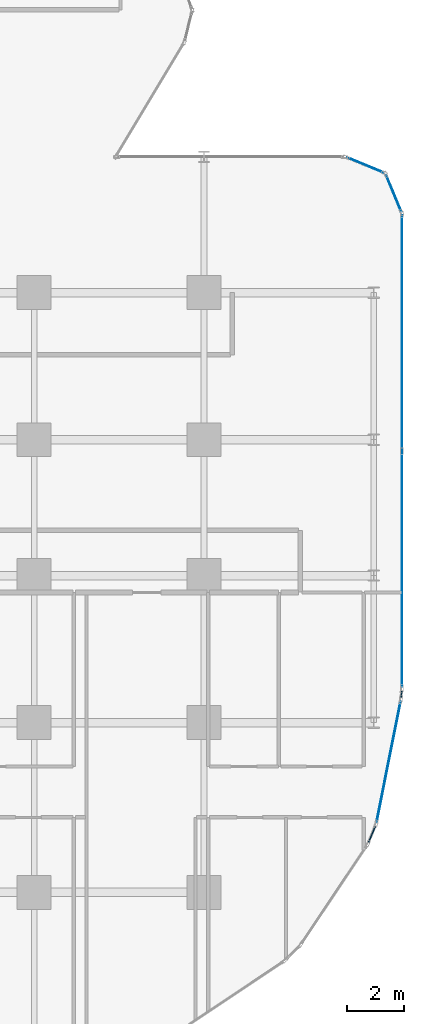
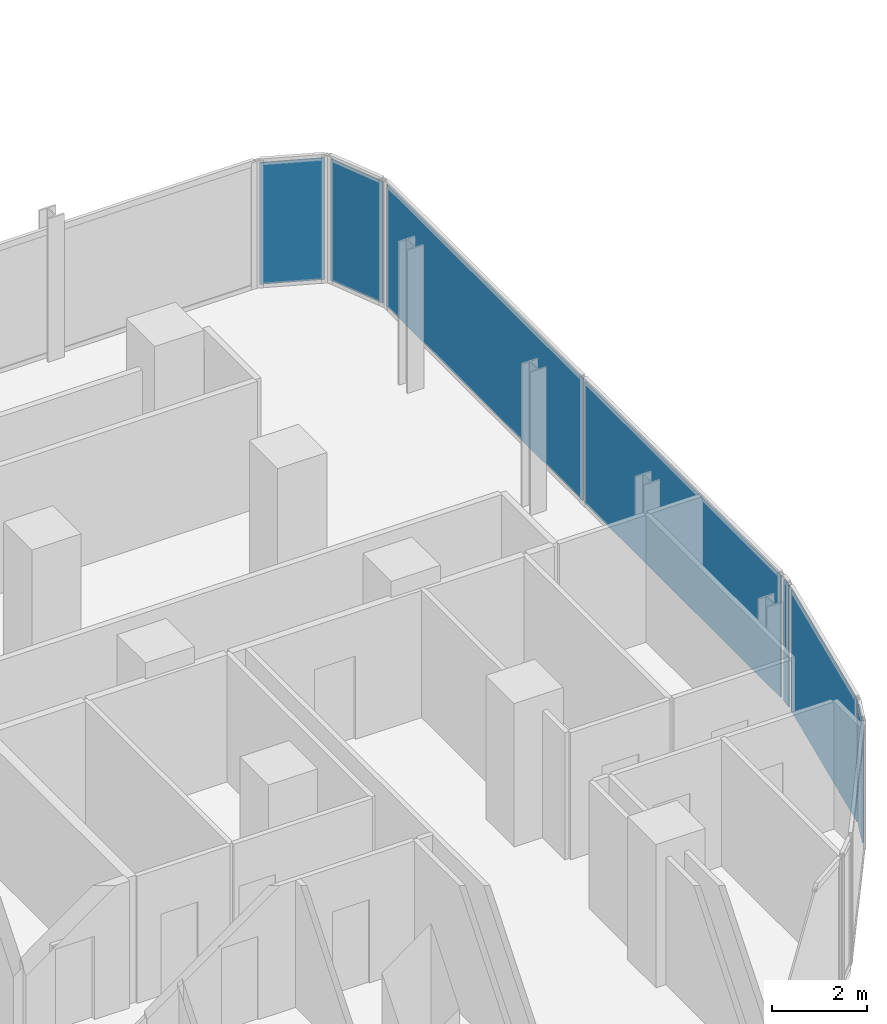
# One storey, part 25 of 33: 7 plates, 6 elements without a shape of their own.
"""IFC4 building model written with IfcOpenShell, lengths in metres."""

from ifc_helpers import new_model, si_unit, direction, frame, origin, origin_2d, place, context, subcontext, project, spatial, rectangle, extrude, material, layer, layer_set, type_object, element, aggregate, save


model = new_model("IFC4")

# Units and contexts
model_context = context("Model", 3, precision=1e-05, world=origin(), true_north=direction((0.0, 1.0)))
body_context = subcontext(model_context, "Body", "Model", "MODEL_VIEW")
ifc_project = project(units=[si_unit("LENGTHUNIT", "METRE"), si_unit("AREAUNIT", "SQUARE_METRE"), si_unit("VOLUMEUNIT", "CUBIC_METRE"), si_unit("PLANEANGLEUNIT", "RADIAN"), si_unit("MASSUNIT", "GRAM", prefix="KILO")], contexts=[model_context])

# Site, building, storey
site_placement = place(None, origin())
site = spatial("IfcSite", under=ifc_project, at=site_placement, CompositionType="ELEMENT")
building_placement = place(site_placement, origin())
building = spatial("IfcBuilding", under=site, at=building_placement, Name="Keshet Zoharim Tower", CompositionType="ELEMENT")
storey_placement = place(building_placement, frame((0.0, 0.0, 57.300048828125)))
storey = spatial("IfcBuildingStorey", under=building, at=storey_placement, Name="L13", CompositionType="ELEMENT", Elevation=57.300048828125)

# Curtain wall, plate
ifc_material_1 = material(Name="Aluminium 6063-T6", Category="aluminium")
ifc_layer_1 = layer(ifc_material_1, 0.179931640625)
ifc_layer_set_1 = layer_set([ifc_layer_1], Name="Aluminium 6063-T6")
curtain_wall_type_1 = type_object("IfcCurtainWallType", Name="CW-SYS-01", PredefinedType="NOTDEFINED", material=ifc_layer_set_1)
curtain_wall_1_placement = place(storey_placement, origin())
curtain_wall_1 = element("IfcCurtainWall", 1, at=curtain_wall_1_placement, inside=storey, type_object=curtain_wall_type_1, Name="L13 Unitised Curtain Wall 19", PredefinedType="NOTDEFINED")
ifc_material_2 = material(Name="Insulated Low-E Clear Glass", Category="glass")
ifc_layer_2 = layer(ifc_material_2, 0.035888671875)
ifc_layer_set_2 = layer_set([ifc_layer_2], Name="Insulated Low-E Clear Glass")
plate_type_1 = type_object("IfcPlateType", Name="CWP-01", PredefinedType="CURTAIN_PANEL", material=ifc_layer_set_2)
plate_1_placement = place(storey_placement, frame((68.9384765625, 8.75439453125, 0.06982421875), z_axis=(0.0, 0.0, 1.0), x_axis=(-0.383068349739, -0.923720000557, 0.0)))
plate_1 = element("IfcPlate", 2, at=plate_1_placement, type_object=plate_type_1, Name="CW-01 panel 1.1", PredefinedType="CURTAIN_PANEL", context=body_context, shape_type="SweptSolid", body=[
    extrude(rectangle(XDim=0.640625, YDim=0.035888671875, at=origin_2d()), origin(), (0.0, 0.0, 1.0), 3.139892578125),
])
aggregate(curtain_wall_1, [plate_1])

ifc_layer_3 = layer(ifc_material_1, 0.169921875)
ifc_layer_set_3 = layer_set([ifc_layer_3], Name="Aluminium 6063-T6")
curtain_wall_type_2 = type_object("IfcCurtainWallType", Name="CW-SYS-02", PredefinedType="NOTDEFINED", material=ifc_layer_set_3)
curtain_wall_2_placement = place(storey_placement, origin())
curtain_wall_2 = element("IfcCurtainWall", 3, at=curtain_wall_2_placement, inside=storey, type_object=curtain_wall_type_2, Name="L13 Unitised Curtain Wall 14", PredefinedType="NOTDEFINED")
ifc_layer_4 = layer(ifc_material_2, 0.031982421875)
ifc_layer_set_4 = layer_set([ifc_layer_4], Name="Insulated Low-E Clear Glass")
plate_type_2 = type_object("IfcPlateType", Name="CWP-02", PredefinedType="CURTAIN_PANEL", material=ifc_layer_set_4)
plate_2_placement = place(storey_placement, frame((68.70703125, 32.406982421875, 0.06982421875), z_axis=(0.0, 0.0, 1.0), x_axis=(0.92380975372, -0.382851849847, 0.0)))
plate_2 = element("IfcPlate", 4, at=plate_2_placement, type_object=plate_type_2, Name="CW-02 panel 1.1", PredefinedType="CURTAIN_PANEL", context=body_context, shape_type="SweptSolid", body=[
    extrude(rectangle(XDim=1.390625, YDim=0.031982421875, at=origin_2d()), origin(), (0.0, 0.0, 1.0), 3.139892578125),
])
aggregate(curtain_wall_2, [plate_2])

curtain_wall_3_placement = place(storey_placement, origin())
curtain_wall_3 = element("IfcCurtainWall", 5, at=curtain_wall_3_placement, inside=storey, type_object=curtain_wall_type_2, Name="L13 Unitised Curtain Wall 15", PredefinedType="NOTDEFINED")
plate_3_placement = place(storey_placement, frame((69.70703125, 31.406982421875, 0.06982421875), z_axis=(0.0, 0.0, 1.0), x_axis=(0.382851849847, -0.92380975372, 0.0)))
plate_3 = element("IfcPlate", 6, at=plate_3_placement, type_object=plate_type_2, Name="CW-02 panel 1.1", PredefinedType="CURTAIN_PANEL", context=body_context, shape_type="SweptSolid", body=[
    extrude(rectangle(XDim=1.390625, YDim=0.031982421875, at=origin_2d()), origin(), (0.0, 0.0, 1.0), 3.139892578125),
])
aggregate(curtain_wall_3, [plate_3])

# Curtain wall, plates
curtain_wall_4_placement = place(storey_placement, origin())
curtain_wall_4 = element("IfcCurtainWall", 7, at=curtain_wall_4_placement, inside=storey, type_object=curtain_wall_type_2, Name="L13 Unitised Curtain Wall 16", PredefinedType="NOTDEFINED")
plate_4_placement = place(storey_placement, frame((70.0, 26.481689453125, 0.06982421875), z_axis=(0.0, 0.0, 1.0), x_axis=(0.0, -1.0, 0.0)))
plate_4 = element("IfcPlate", 8, at=plate_4_placement, type_object=plate_type_2, Name="CW-02 panel 1.1", PredefinedType="CURTAIN_PANEL", context=body_context, shape_type="SweptSolid", body=[
    extrude(rectangle(XDim=8.29638671875, YDim=0.031982421875, at=origin_2d()), origin(), (0.0, 0.0, 1.0), 3.139892578125),
])
plate_5_placement = place(storey_placement, frame((70.0, 18.115234375, 0.06982421875), z_axis=(0.0, 0.0, 1.0), x_axis=(0.0, -1.0, 0.0)))
plate_5 = element("IfcPlate", 9, at=plate_5_placement, type_object=plate_type_2, Name="CW-02 panel 2.1", PredefinedType="CURTAIN_PANEL", context=body_context, shape_type="SweptSolid", body=[
    extrude(rectangle(XDim=8.29638671875, YDim=0.031982421875, at=origin_2d()), origin(), (0.0, 0.0, 1.0), 3.139892578125),
])
aggregate(curtain_wall_4, [plate_4, plate_5])

# Curtain wall, plate
curtain_wall_5_placement = place(storey_placement, origin())
curtain_wall_5 = element("IfcCurtainWall", 10, at=curtain_wall_5_placement, inside=storey, type_object=curtain_wall_type_2, Name="L13 Unitised Curtain Wall 17", PredefinedType="NOTDEFINED")
plate_6_placement = place(storey_placement, frame((69.98095703125, 13.701904296875, 0.06982421875), z_axis=(0.0, 0.0, 1.0), x_axis=(-0.096976648633, -0.995286657009, 0.0)))
plate_6 = element("IfcPlate", 11, at=plate_6_placement, type_object=plate_type_2, Name="CW-02 panel 1.1", PredefinedType="CURTAIN_PANEL", context=body_context, shape_type="SweptSolid", body=[
    extrude(rectangle(XDim=0.251953125, YDim=0.031982421875, at=origin_2d()), origin(), (0.0, 0.0, 1.0), 3.139892578125),
])
aggregate(curtain_wall_5, [plate_6])

curtain_wall_6_placement = place(storey_placement, origin())
curtain_wall_6 = element("IfcCurtainWall", 12, at=curtain_wall_6_placement, inside=storey, type_object=curtain_wall_type_2, Name="L13 Unitised Curtain Wall 18", PredefinedType="NOTDEFINED")
plate_7_placement = place(storey_placement, frame((69.52490234375, 11.31103515625, 0.06982421875), z_axis=(0.0, 0.0, 1.0), x_axis=(-0.195171279072, -0.98076917357, 0.0)))
plate_7 = element("IfcPlate", 13, at=plate_7_placement, type_object=plate_type_2, Name="CW-02 panel 1.1", PredefinedType="CURTAIN_PANEL", context=body_context, shape_type="SweptSolid", body=[
    extrude(rectangle(XDim=4.338134765625, YDim=0.031982421875, at=origin_2d()), origin(), (0.0, 0.0, 1.0), 3.139892578125),
])
aggregate(curtain_wall_6, [plate_7])

save(model, "model.ifc")
